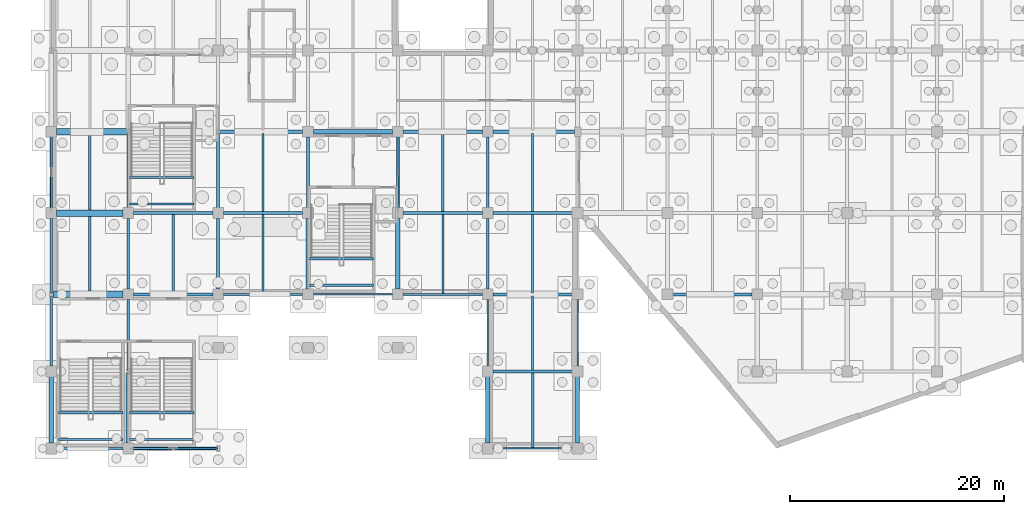
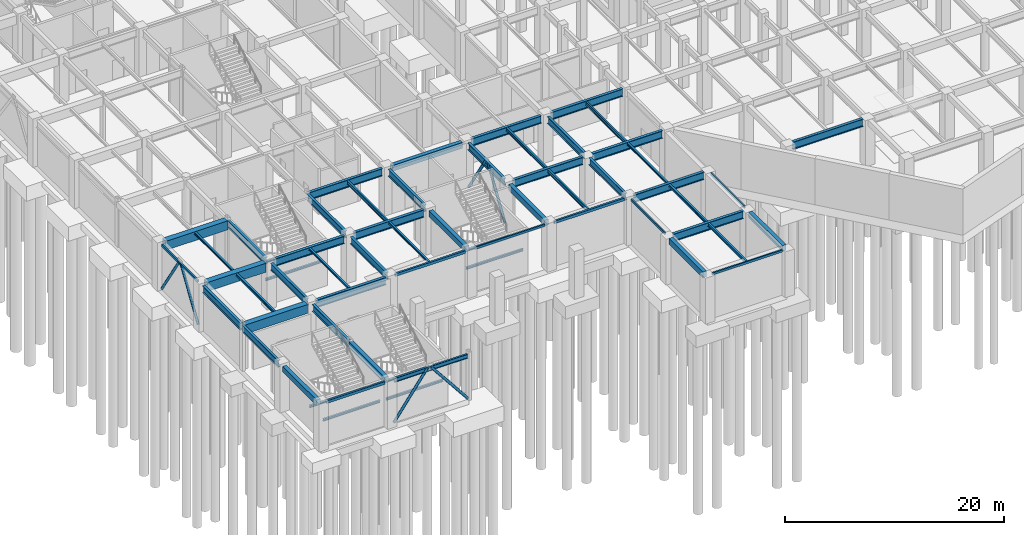
# One storey, part 22 of 52: 60 beams, 6 members.
"""IFC4 building model written with IfcOpenShell, lengths in metres."""

from ifc_helpers import new_model, si_unit, direction, frame, origin, origin_2d, place, context, subcontext, project, spatial, rectangle, hollow_rectangle, hollow_circle, i_section, extrude, material, material_profile, profile_set, type_object, element, save


model = new_model("IFC4")

# Units and contexts
model_context = context("Model", 3, precision=1e-05, world=origin(), true_north=direction((0.0, 1.0)))
body_context = subcontext(model_context, "Body", "Model", "MODEL_VIEW")
ifc_project = project(units=[si_unit("LENGTHUNIT", "METRE"), si_unit("AREAUNIT", "SQUARE_METRE"), si_unit("VOLUMEUNIT", "CUBIC_METRE"), si_unit("PLANEANGLEUNIT", "RADIAN"), si_unit("MASSUNIT", "GRAM", prefix="KILO")], contexts=[model_context])

# Site, building, storey
site_placement = place(None, origin())
site = spatial("IfcSite", under=ifc_project, at=site_placement, CompositionType="ELEMENT")
building_placement = place(site_placement, origin())
building = spatial("IfcBuilding", under=site, at=building_placement, Name="Xicomal Pleat Aquarium", CompositionType="ELEMENT")
storey_placement = place(building_placement, frame((0.0, 0.0, -5.39990234375)))
storey = spatial("IfcBuildingStorey", under=building, at=storey_placement, Name="B1", CompositionType="ELEMENT", Elevation=-5.39990234375)

# Beams
ifc_material_1 = material(Name="Concrete C40/50", Category="concrete")
ifc_material_profile_1 = material_profile(ifc_material_1, rectangle(XDim=0.39990234375, YDim=0.64990234375, at=origin_2d()), Name="RC 400x650")
ifc_profile_set_1 = profile_set([ifc_material_profile_1], Name="Concrete C40/50")
beam_type_1 = type_object("IfcBeamType", Name="BM-RC-400x650", PredefinedType="LINTEL", material=ifc_profile_set_1)
beam_1_placement = place(storey_placement, frame((27.4951171875, 30.39990234375, 4.794921875), z_axis=(1.0, 0.0, 0.0), x_axis=(0.0, 1.0, 0.0)))
element("IfcBeam", 1, at=beam_1_placement, inside=storey, type_object=beam_type_1, Name="B1 framing beam FGX-B1-04-05-E", PredefinedType="LINTEL", context=body_context, shape_type="SweptSolid", body=[
    extrude(rectangle(XDim=0.39990234375, YDim=0.64990234375, at=origin_2d()), origin(), (0.0, 0.0, 1.0), 7.409912109375),
])
beam_2_placement = place(storey_placement, frame((3.0, 1.294921875, 4.794921875), z_axis=(0.0, 1.0, 0.0), x_axis=(-1.0, 0.0, 0.0)))
element("IfcBeam", 2, at=beam_2_placement, inside=storey, type_object=beam_type_1, Name="B1 framing beam FGY-B1-01-A-B", PredefinedType="LINTEL", context=body_context, shape_type="SweptSolid", body=[
    extrude(rectangle(XDim=0.39990234375, YDim=0.64990234375, at=origin_2d()), origin(), (0.0, 0.0, 1.0), 6.2099609375),
])
beam_3_placement = place(storey_placement, frame((10.199951171875, 1.294921875, 4.794921875), z_axis=(0.0, 1.0, 0.0), x_axis=(-1.0, 0.0, 0.0)))
element("IfcBeam", 3, at=beam_3_placement, inside=storey, type_object=beam_type_1, Name="B1 framing beam FGY-B1-02-A-B", PredefinedType="LINTEL", context=body_context, shape_type="SweptSolid", body=[
    extrude(rectangle(XDim=0.39990234375, YDim=0.64990234375, at=origin_2d()), origin(), (0.0, 0.0, 1.0), 6.56005859375),
])
for number, where, z_axis, x_axis, name in (
    (4, (27.0, 15.695068359375, 4.794921875), (0.0, 1.0, 0.0), (-1.0, 0.0, 0.0), "B1 framing beam FGY-B1-04-C-D"),
    (5, (35.39990234375, 15.695068359375, 4.794921875), (0.0, 1.0, 0.0), (-1.0, 0.0, 0.0), "B1 framing beam FGY-B1-05-C-D"),
):
    element("IfcBeam", number, at=place(storey_placement, frame(where, z_axis=z_axis, x_axis=x_axis)), inside=storey, type_object=beam_type_1, Name=name, PredefinedType="LINTEL", context=body_context, shape_type="SweptSolid", body=[
        extrude(rectangle(XDim=0.39990234375, YDim=0.64990234375, at=origin_2d()), origin(), (0.0, 0.0, 1.0), 6.60986328125),
    ])
for number, where, z_axis, x_axis, name in (
    (6, (43.800048828125, 1.294921875, 4.794921875), (0.0, 1.0, 0.0), (-1.0, 0.0, 0.0), "B1 framing beam FGY-B1-06-A-B"),
    (7, (52.199951171875, 1.294921875, 4.794921875), (0.0, 1.0, 0.0), (-1.0, 0.0, 0.0), "B1 framing beam FGY-B1-07-A-B"),
):
    element("IfcBeam", number, at=place(storey_placement, frame(where, z_axis=z_axis, x_axis=x_axis)), inside=storey, type_object=beam_type_1, Name=name, PredefinedType="LINTEL", context=body_context, shape_type="SweptSolid", body=[
        extrude(rectangle(XDim=0.39990234375, YDim=0.64990234375, at=origin_2d()), origin(), (0.0, 0.0, 1.0), 6.2099609375),
    ])
ifc_material_2 = material(Name="Concrete C40/50", Category="concrete")
ifc_material_profile_2 = material_profile(ifc_material_2, rectangle(XDim=0.60009765625, YDim=1.0, at=origin_2d()), Name="RC 600x1000")
ifc_profile_set_2 = profile_set([ifc_material_profile_2], Name="Concrete C40/50")
beam_type_2 = type_object("IfcBeamType", Name="BM-RC-600x1000", PredefinedType="T_BEAM", material=ifc_profile_set_2)
beam_4_placement = place(storey_placement, frame((3.14501953125, 15.199951171875, 4.619873046875), z_axis=(1.0, 0.0, 0.0), x_axis=(0.0, 1.0, 0.0)))
element("IfcBeam", 8, at=beam_4_placement, inside=storey, type_object=beam_type_2, Name="B1 framing beam FGX-B1-01-02-C", PredefinedType="T_BEAM", context=body_context, shape_type="SweptSolid", body=[
    extrude(rectangle(XDim=0.60009765625, YDim=1.0, at=origin_2d()), origin(), (0.0, 0.0, 1.0), 6.56005859375),
])
beam_5_placement = place(storey_placement, frame((3.4951171875, 22.800048828125, 4.619873046875), z_axis=(1.0, 0.0, 0.0), x_axis=(0.0, 1.0, 0.0)))
element("IfcBeam", 9, at=beam_5_placement, inside=storey, type_object=beam_type_2, Name="B1 framing beam FGX-B1-01-02-D", PredefinedType="T_BEAM", context=body_context, shape_type="SweptSolid", body=[
    extrude(rectangle(XDim=0.60009765625, YDim=1.0, at=origin_2d()), origin(), (0.0, 0.0, 1.0), 6.2099609375),
])
beam_6_placement = place(storey_placement, frame((3.4951171875, 30.39990234375, 4.619873046875), z_axis=(1.0, 0.0, 0.0), x_axis=(0.0, 1.0, 0.0)))
element("IfcBeam", 10, at=beam_6_placement, inside=storey, type_object=beam_type_2, Name="B1 framing beam FGX-B1-01-02-E", PredefinedType="T_BEAM", context=body_context, shape_type="SweptSolid", body=[
    extrude(rectangle(XDim=0.60009765625, YDim=1.0, at=origin_2d()), origin(), (0.0, 0.0, 1.0), 6.559814453125),
])
ifc_material_3 = material(Name="Structural steel A992 Gr 50", Category="steel")
ifc_material_profile_3 = material_profile(ifc_material_3, i_section(OverallWidth=0.201904296875, OverallDepth=0.2470703125, WebThickness=0.00732421875, FlangeThickness=0.010986328125, at=origin_2d()), Name="IR 250x49")
ifc_profile_set_3 = profile_set([ifc_material_profile_3], Name="Structural steel A992 Gr 50")
beam_type_3 = type_object("IfcBeamType", Name="BM-STL-IR250", PredefinedType="JOIST", material=ifc_profile_set_3)
beam_7_placement = place(storey_placement, frame((6.60009765625, 23.10302734375, 4.996337890625), z_axis=(0.0, 1.0, 0.0), x_axis=(-1.0, 0.0, 0.0)))
element("IfcBeam", 11, at=beam_7_placement, inside=storey, type_object=beam_type_3, Name="B1 framing beam FBJ-B1-01-D-1", PredefinedType="JOIST", context=body_context, shape_type="SweptSolid", body=[
    extrude(i_section(OverallWidth=0.201904296875, OverallDepth=0.2470703125, WebThickness=0.00732421875, FlangeThickness=0.010986328125, at=origin_2d()), origin(), (0.0, 0.0, 1.0), 6.993896484375),
])
beam_8_placement = place(storey_placement, frame((14.39990234375, 15.35009765625, 4.996337890625), z_axis=(0.0, 1.0, 0.0), x_axis=(-1.0, 0.0, 0.0)))
element("IfcBeam", 12, at=beam_8_placement, inside=storey, type_object=beam_type_3, Name="B1 framing beam FBJ-B1-02-C-1", PredefinedType="JOIST", context=body_context, shape_type="SweptSolid", body=[
    extrude(i_section(OverallWidth=0.201904296875, OverallDepth=0.2470703125, WebThickness=0.00732421875, FlangeThickness=0.010986328125, at=origin_2d()), origin(), (0.0, 0.0, 1.0), 7.2998046875),
])
beam_9_placement = place(storey_placement, frame((22.800048828125, 15.302978515625, 4.996337890625), z_axis=(0.0, 1.0, 0.0), x_axis=(-1.0, 0.0, 0.0)))
element("IfcBeam", 13, at=beam_9_placement, inside=storey, type_object=beam_type_3, Name="B1 framing beam FBJ-B1-03-C-1", PredefinedType="JOIST", context=body_context, shape_type="SweptSolid", body=[
    extrude(i_section(OverallWidth=0.201904296875, OverallDepth=0.2470703125, WebThickness=0.00732421875, FlangeThickness=0.010986328125, at=origin_2d()), origin(), (0.0, 0.0, 1.0), 7.346923828125),
])
beam_10_placement = place(storey_placement, frame((48.0, 15.35009765625, 4.996337890625), z_axis=(0.0, 1.0, 0.0), x_axis=(-1.0, 0.0, 0.0)))
element("IfcBeam", 14, at=beam_10_placement, inside=storey, type_object=beam_type_3, Name="B1 framing beam FBJ-B1-06-C-1", PredefinedType="JOIST", context=body_context, shape_type="SweptSolid", body=[
    extrude(i_section(OverallWidth=0.201904296875, OverallDepth=0.2470703125, WebThickness=0.00732421875, FlangeThickness=0.010986328125, at=origin_2d()), origin(), (0.0, 0.0, 1.0), 7.2998046875),
])
for number, where, z_axis, x_axis, name in (
    (15, (10.320068359375, 23.64990234375, 2.37890625), (1.0, 0.0, 0.0), (0.0, 1.0, 0.0), "ST-01-B1 half-landing bearer beam 1"),
    (16, (10.320068359375, 26.1298828125, 2.37890625), (1.0, 0.0, 0.0), (0.0, 1.0, 0.0), "ST-01-B1 half-landing bearer beam 2"),
):
    element("IfcBeam", number, at=place(storey_placement, frame(where, z_axis=z_axis, x_axis=x_axis)), inside=storey, type_object=beam_type_3, Name=name, PredefinedType="JOIST", context=body_context, shape_type="SweptSolid", body=[
        extrude(i_section(OverallWidth=0.201904296875, OverallDepth=0.2470703125, WebThickness=0.00732421875, FlangeThickness=0.010986328125, at=origin_2d()), origin(), (0.0, 0.0, 1.0), 6.02001953125),
    ])
for number, where, z_axis, x_axis, name in (
    (17, (27.1201171875, 16.050048828125, 2.37890625), (1.0, 0.0, 0.0), (0.0, 1.0, 0.0), "ST-02-B1 half-landing bearer beam 1"),
    (18, (27.1201171875, 18.530029296875, 2.37890625), (1.0, 0.0, 0.0), (0.0, 1.0, 0.0), "ST-02-B1 half-landing bearer beam 2"),
):
    element("IfcBeam", number, at=place(storey_placement, frame(where, z_axis=z_axis, x_axis=x_axis)), inside=storey, type_object=beam_type_3, Name=name, PredefinedType="JOIST", context=body_context, shape_type="SweptSolid", body=[
        extrude(i_section(OverallWidth=0.201904296875, OverallDepth=0.2470703125, WebThickness=0.00732421875, FlangeThickness=0.010986328125, at=origin_2d()), origin(), (0.0, 0.0, 1.0), 6.019775390625),
    ])
for number, where, z_axis, x_axis, name in (
    (19, (10.320068359375, 1.64990234375, 2.37890625), (1.0, 0.0, 0.0), (0.0, 1.0, 0.0), "ST-09-B1 half-landing bearer beam 1"),
    (20, (10.320068359375, 4.1298828125, 2.37890625), (1.0, 0.0, 0.0), (0.0, 1.0, 0.0), "ST-09-B1 half-landing bearer beam 2"),
    (21, (3.679931640625, 1.64990234375, 2.37890625), (1.0, 0.0, 0.0), (0.0, 1.0, 0.0), "ST-10-B1 half-landing bearer beam 1"),
    (22, (3.679931640625, 4.1298828125, 2.37890625), (1.0, 0.0, 0.0), (0.0, 1.0, 0.0), "ST-10-B1 half-landing bearer beam 2"),
):
    element("IfcBeam", number, at=place(storey_placement, frame(where, z_axis=z_axis, x_axis=x_axis)), inside=storey, type_object=beam_type_3, Name=name, PredefinedType="JOIST", context=body_context, shape_type="SweptSolid", body=[
        extrude(i_section(OverallWidth=0.201904296875, OverallDepth=0.2470703125, WebThickness=0.00732421875, FlangeThickness=0.010986328125, at=origin_2d()), origin(), (0.0, 0.0, 1.0), 6.02001953125),
    ])
ifc_material_4 = material(Name="Structural steel A992 Gr 50", Category="steel")
ifc_material_profile_4 = material_profile(ifc_material_4, i_section(OverallWidth=0.202880859375, OverallDepth=0.302978515625, WebThickness=0.007568359375, FlangeThickness=0.01318359375, at=origin_2d()), Name="IR 310x60")
ifc_profile_set_4 = profile_set([ifc_material_profile_4], Name="Structural steel A992 Gr 50")
beam_type_4 = type_object("IfcBeamType", Name="BM-STL-IR310", PredefinedType="JOIST", material=ifc_profile_set_4)
beam_11_placement = place(storey_placement, frame((6.60009765625, 15.5029296875, 4.968505859375), z_axis=(0.0, 1.0, 0.0), x_axis=(-1.0, 0.0, 0.0)))
element("IfcBeam", 23, at=beam_11_placement, inside=storey, type_object=beam_type_4, Name="B1 framing beam FBJ-B1-01-C-1", PredefinedType="JOIST", context=body_context, shape_type="SweptSolid", body=[
    extrude(i_section(OverallWidth=0.202880859375, OverallDepth=0.302978515625, WebThickness=0.007568359375, FlangeThickness=0.01318359375, at=origin_2d()), origin(), (0.0, 0.0, 1.0), 6.994140625),
])
beam_12_placement = place(storey_placement, frame((48.0, 8.14990234375, 4.968505859375), z_axis=(0.0, 1.0, 0.0), x_axis=(-1.0, 0.0, 0.0)))
element("IfcBeam", 24, at=beam_12_placement, inside=storey, type_object=beam_type_4, Name="B1 framing beam FBJ-B1-06-B-1", PredefinedType="JOIST", context=body_context, shape_type="SweptSolid", body=[
    extrude(i_section(OverallWidth=0.202880859375, OverallDepth=0.302978515625, WebThickness=0.007568359375, FlangeThickness=0.01318359375, at=origin_2d()), origin(), (0.0, 0.0, 1.0), 6.900146484375),
])
ifc_material_5 = material(Name="Structural steel A992 Gr 50", Category="steel")
ifc_material_profile_5 = material_profile(ifc_material_5, i_section(OverallWidth=0.205078125, OverallDepth=0.35400390625, WebThickness=0.009521484375, FlangeThickness=0.016845703125, at=origin_2d()), Name="IR 360x79")
ifc_profile_set_5 = profile_set([ifc_material_profile_5], Name="Structural steel A992 Gr 50")
beam_type_5 = type_object("IfcBeamType", Name="BM-STL-IR360", PredefinedType="JOIST", material=ifc_profile_set_5)
beam_13_placement = place(storey_placement, frame((39.60009765625, 22.949951171875, 4.94287109375), z_axis=(0.0, 1.0, 0.0), x_axis=(-1.0, 0.0, 0.0)))
element("IfcBeam", 25, at=beam_13_placement, inside=storey, type_object=beam_type_5, Name="B1 framing beam FBJ-B1-05-D-1", PredefinedType="JOIST", context=body_context, shape_type="SweptSolid", body=[
    extrude(i_section(OverallWidth=0.205078125, OverallDepth=0.35400390625, WebThickness=0.009521484375, FlangeThickness=0.016845703125, at=origin_2d()), origin(), (0.0, 0.0, 1.0), 7.300048828125),
])
beam_14_placement = place(storey_placement, frame((48.0, 0.8779296875, 4.94287109375), z_axis=(0.0, 1.0, 0.0), x_axis=(-1.0, 0.0, 0.0)))
element("IfcBeam", 26, at=beam_14_placement, inside=storey, type_object=beam_type_5, Name="B1 framing beam FBJ-B1-06-A-1", PredefinedType="JOIST", context=body_context, shape_type="SweptSolid", body=[
    extrude(i_section(OverallWidth=0.205078125, OverallDepth=0.35400390625, WebThickness=0.009521484375, FlangeThickness=0.016845703125, at=origin_2d()), origin(), (0.0, 0.0, 1.0), 6.97216796875),
])
ifc_material_6 = material(Name="Structural steel A992 Gr 50", Category="steel")
ifc_material_profile_6 = material_profile(ifc_material_6, i_section(OverallWidth=0.180908203125, OverallDepth=0.4169921875, WebThickness=0.010986328125, FlangeThickness=0.018310546875, at=origin_2d()), Name="IR 410x85")
ifc_profile_set_6 = profile_set([ifc_material_profile_6], Name="Structural steel A992 Gr 50")
beam_type_6 = type_object("IfcBeamType", Name="BM-STL-IR410", PredefinedType="JOIST", material=ifc_profile_set_6)
beam_15_placement = place(storey_placement, frame((22.800048828125, 22.949951171875, 4.911376953125), z_axis=(0.0, 1.0, 0.0), x_axis=(-1.0, 0.0, 0.0)))
element("IfcBeam", 27, at=beam_15_placement, inside=storey, type_object=beam_type_6, Name="B1 framing beam FBJ-B1-03-D-1", PredefinedType="JOIST", context=body_context, shape_type="SweptSolid", body=[
    extrude(i_section(OverallWidth=0.180908203125, OverallDepth=0.4169921875, WebThickness=0.010986328125, FlangeThickness=0.018310546875, at=origin_2d()), origin(), (0.0, 0.0, 1.0), 7.300048828125),
])
beam_16_placement = place(storey_placement, frame((39.60009765625, 15.302978515625, 4.911376953125), z_axis=(0.0, 1.0, 0.0), x_axis=(-1.0, 0.0, 0.0)))
element("IfcBeam", 28, at=beam_16_placement, inside=storey, type_object=beam_type_6, Name="B1 framing beam FBJ-B1-05-C-1", PredefinedType="JOIST", context=body_context, shape_type="SweptSolid", body=[
    extrude(i_section(OverallWidth=0.180908203125, OverallDepth=0.4169921875, WebThickness=0.010986328125, FlangeThickness=0.018310546875, at=origin_2d()), origin(), (0.0, 0.0, 1.0), 7.346923828125),
])
beam_17_placement = place(storey_placement, frame((48.0, 22.949951171875, 4.911376953125), z_axis=(0.0, 1.0, 0.0), x_axis=(-1.0, 0.0, 0.0)))
element("IfcBeam", 29, at=beam_17_placement, inside=storey, type_object=beam_type_6, Name="B1 framing beam FBJ-B1-06-D-1", PredefinedType="JOIST", context=body_context, shape_type="SweptSolid", body=[
    extrude(i_section(OverallWidth=0.180908203125, OverallDepth=0.4169921875, WebThickness=0.010986328125, FlangeThickness=0.018310546875, at=origin_2d()), origin(), (0.0, 0.0, 1.0), 7.300048828125),
])
ifc_material_7 = material(Name="Structural steel A992 Gr 50", Category="steel")
ifc_material_profile_7 = material_profile(ifc_material_7, i_section(OverallWidth=0.194091796875, OverallDepth=0.468994140625, WebThickness=0.0126953125, FlangeThickness=0.0205078125, at=origin_2d()), Name="IR 460x106")
ifc_profile_set_7 = profile_set([ifc_material_profile_7], Name="Structural steel A992 Gr 50")
beam_type_7 = type_object("IfcBeamType", Name="BM-STL-IR460", PredefinedType="BEAM", material=ifc_profile_set_7)
beam_18_placement = place(storey_placement, frame((10.695068359375, 0.800048828125, 4.885498046875), z_axis=(1.0, 0.0, 0.0), x_axis=(0.0, 1.0, 0.0)))
element("IfcBeam", 30, at=beam_18_placement, inside=storey, type_object=beam_type_7, Name="B1 framing beam FGX-B1-02-03-A", PredefinedType="BEAM", context=body_context, shape_type="SweptSolid", body=[
    extrude(i_section(OverallWidth=0.194091796875, OverallDepth=0.468994140625, WebThickness=0.0126953125, FlangeThickness=0.0205078125, at=origin_2d()), origin(), (0.0, 0.0, 1.0), 7.760009765625),
])
ifc_material_8 = material(Name="Structural steel A992 Gr 50", Category="steel")
ifc_material_profile_8 = material_profile(ifc_material_8, i_section(OverallWidth=0.26806640625, OverallDepth=0.77001953125, WebThickness=0.015625, FlangeThickness=0.025390625, at=origin_2d()), Name="IR 760x196")
ifc_profile_set_8 = profile_set([ifc_material_profile_8], Name="Structural steel A992 Gr 50")
beam_type_8 = type_object("IfcBeamType", Name="BM-STL-IR760", PredefinedType="BEAM", material=ifc_profile_set_8)
beam_19_placement = place(storey_placement, frame((3.0, 8.4951171875, 4.73486328125), z_axis=(0.0, 1.0, 0.0), x_axis=(-1.0, 0.0, 0.0)))
element("IfcBeam", 31, at=beam_19_placement, inside=storey, type_object=beam_type_8, Name="B1 framing beam FGY-B1-01-B-C", PredefinedType="BEAM", context=body_context, shape_type="SweptSolid", body=[
    extrude(i_section(OverallWidth=0.26806640625, OverallDepth=0.77001953125, WebThickness=0.015625, FlangeThickness=0.025390625, at=origin_2d()), origin(), (0.0, 0.0, 1.0), 6.559814453125),
])
beam_20_placement = place(storey_placement, frame((3.0, 15.344970703125, 4.73486328125), z_axis=(0.0, 1.0, 0.0), x_axis=(-1.0, 0.0, 0.0)))
element("IfcBeam", 32, at=beam_20_placement, inside=storey, type_object=beam_type_8, Name="B1 framing beam FGY-B1-01-C-D", PredefinedType="BEAM", context=body_context, shape_type="SweptSolid", body=[
    extrude(i_section(OverallWidth=0.26806640625, OverallDepth=0.77001953125, WebThickness=0.015625, FlangeThickness=0.025390625, at=origin_2d()), origin(), (0.0, 0.0, 1.0), 6.9599609375),
])
beam_21_placement = place(storey_placement, frame((10.199951171875, 8.14501953125, 4.73486328125), z_axis=(0.0, 1.0, 0.0), x_axis=(-1.0, 0.0, 0.0)))
element("IfcBeam", 33, at=beam_21_placement, inside=storey, type_object=beam_type_8, Name="B1 framing beam FGY-B1-02-B-C", PredefinedType="BEAM", context=body_context, shape_type="SweptSolid", body=[
    extrude(i_section(OverallWidth=0.26806640625, OverallDepth=0.77001953125, WebThickness=0.015625, FlangeThickness=0.025390625, at=origin_2d()), origin(), (0.0, 0.0, 1.0), 6.56005859375),
])
beam_22_placement = place(storey_placement, frame((10.199951171875, 15.695068359375, 4.73486328125), z_axis=(0.0, 1.0, 0.0), x_axis=(-1.0, 0.0, 0.0)))
element("IfcBeam", 34, at=beam_22_placement, inside=storey, type_object=beam_type_8, Name="B1 framing beam FGY-B1-02-C-D", PredefinedType="BEAM", context=body_context, shape_type="SweptSolid", body=[
    extrude(i_section(OverallWidth=0.26806640625, OverallDepth=0.77001953125, WebThickness=0.015625, FlangeThickness=0.025390625, at=origin_2d()), origin(), (0.0, 0.0, 1.0), 6.60986328125),
])
beam_23_placement = place(storey_placement, frame((10.199951171875, 23.294921875, 4.73486328125), z_axis=(0.0, 1.0, 0.0), x_axis=(-1.0, 0.0, 0.0)))
element("IfcBeam", 35, at=beam_23_placement, inside=storey, type_object=beam_type_8, Name="B1 framing beam FGY-B1-02-D-E", PredefinedType="BEAM", context=body_context, shape_type="SweptSolid", body=[
    extrude(i_section(OverallWidth=0.26806640625, OverallDepth=0.77001953125, WebThickness=0.015625, FlangeThickness=0.025390625, at=origin_2d()), origin(), (0.0, 0.0, 1.0), 6.9599609375),
])
beam_24_placement = place(storey_placement, frame((18.60009765625, 15.695068359375, 4.73486328125), z_axis=(0.0, 1.0, 0.0), x_axis=(-1.0, 0.0, 0.0)))
element("IfcBeam", 36, at=beam_24_placement, inside=storey, type_object=beam_type_8, Name="B1 framing beam FGY-B1-03-C-D", PredefinedType="BEAM", context=body_context, shape_type="SweptSolid", body=[
    extrude(i_section(OverallWidth=0.26806640625, OverallDepth=0.77001953125, WebThickness=0.015625, FlangeThickness=0.025390625, at=origin_2d()), origin(), (0.0, 0.0, 1.0), 6.60986328125),
])
beam_25_placement = place(storey_placement, frame((18.60009765625, 23.294921875, 4.73486328125), z_axis=(0.0, 1.0, 0.0), x_axis=(-1.0, 0.0, 0.0)))
element("IfcBeam", 37, at=beam_25_placement, inside=storey, type_object=beam_type_8, Name="B1 framing beam FGY-B1-03-D-E", PredefinedType="BEAM", context=body_context, shape_type="SweptSolid", body=[
    extrude(i_section(OverallWidth=0.26806640625, OverallDepth=0.77001953125, WebThickness=0.015625, FlangeThickness=0.025390625, at=origin_2d()), origin(), (0.0, 0.0, 1.0), 6.9599609375),
])
for number, where, z_axis, x_axis, name in (
    (38, (27.0, 23.294921875, 4.73486328125), (0.0, 1.0, 0.0), (-1.0, 0.0, 0.0), "B1 framing beam FGY-B1-04-D-E"),
    (39, (35.39990234375, 23.294921875, 4.73486328125), (0.0, 1.0, 0.0), (-1.0, 0.0, 0.0), "B1 framing beam FGY-B1-05-D-E"),
):
    element("IfcBeam", number, at=place(storey_placement, frame(where, z_axis=z_axis, x_axis=x_axis)), inside=storey, type_object=beam_type_8, Name=name, PredefinedType="BEAM", context=body_context, shape_type="SweptSolid", body=[
        extrude(i_section(OverallWidth=0.26806640625, OverallDepth=0.77001953125, WebThickness=0.015625, FlangeThickness=0.025390625, at=origin_2d()), origin(), (0.0, 0.0, 1.0), 6.610107421875),
    ])
beam_26_placement = place(storey_placement, frame((43.800048828125, 15.695068359375, 4.73486328125), z_axis=(0.0, 1.0, 0.0), x_axis=(-1.0, 0.0, 0.0)))
element("IfcBeam", 40, at=beam_26_placement, inside=storey, type_object=beam_type_8, Name="B1 framing beam FGY-B1-06-C-D", PredefinedType="BEAM", context=body_context, shape_type="SweptSolid", body=[
    extrude(i_section(OverallWidth=0.26806640625, OverallDepth=0.77001953125, WebThickness=0.015625, FlangeThickness=0.025390625, at=origin_2d()), origin(), (0.0, 0.0, 1.0), 6.60986328125),
])
beam_27_placement = place(storey_placement, frame((43.800048828125, 23.294921875, 4.73486328125), z_axis=(0.0, 1.0, 0.0), x_axis=(-1.0, 0.0, 0.0)))
element("IfcBeam", 41, at=beam_27_placement, inside=storey, type_object=beam_type_8, Name="B1 framing beam FGY-B1-06-D-E", PredefinedType="BEAM", context=body_context, shape_type="SweptSolid", body=[
    extrude(i_section(OverallWidth=0.26806640625, OverallDepth=0.77001953125, WebThickness=0.015625, FlangeThickness=0.025390625, at=origin_2d()), origin(), (0.0, 0.0, 1.0), 6.610107421875),
])
ifc_material_9 = material(Name="Structural steel A992 Gr 50", Category="steel")
ifc_material_profile_9 = material_profile(ifc_material_9, i_section(OverallWidth=0.2939453125, OverallDepth=0.85107421875, WebThickness=0.01611328125, FlangeThickness=0.02685546875, at=origin_2d()), Name="IR 840x226")
ifc_profile_set_9 = profile_set([ifc_material_profile_9], Name="Structural steel A992 Gr 50")
beam_type_9 = type_object("IfcBeamType", Name="BM-STL-IR840", PredefinedType="BEAM", material=ifc_profile_set_9)
beam_28_placement = place(storey_placement, frame((44.294921875, 8.0, 4.6943359375), z_axis=(1.0, 0.0, 0.0), x_axis=(0.0, 1.0, 0.0)))
element("IfcBeam", 42, at=beam_28_placement, inside=storey, type_object=beam_type_9, Name="B1 framing beam FGX-B1-06-07-B", PredefinedType="BEAM", context=body_context, shape_type="SweptSolid", body=[
    extrude(i_section(OverallWidth=0.2939453125, OverallDepth=0.85107421875, WebThickness=0.01611328125, FlangeThickness=0.02685546875, at=origin_2d()), origin(), (0.0, 0.0, 1.0), 7.41015625),
])
beam_29_placement = place(storey_placement, frame((10.695068359375, 15.199951171875, 4.6943359375), z_axis=(1.0, 0.0, 0.0), x_axis=(0.0, 1.0, 0.0)))
element("IfcBeam", 43, at=beam_29_placement, inside=storey, type_object=beam_type_9, Name="B1 framing beam FGX-B1-02-03-C", PredefinedType="BEAM", context=body_context, shape_type="SweptSolid", body=[
    extrude(i_section(OverallWidth=0.2939453125, OverallDepth=0.85107421875, WebThickness=0.01611328125, FlangeThickness=0.02685546875, at=origin_2d()), origin(), (0.0, 0.0, 1.0), 7.409912109375),
])
beam_30_placement = place(storey_placement, frame((44.294921875, 15.199951171875, 4.6943359375), z_axis=(1.0, 0.0, 0.0), x_axis=(0.0, 1.0, 0.0)))
element("IfcBeam", 44, at=beam_30_placement, inside=storey, type_object=beam_type_9, Name="B1 framing beam FGX-B1-06-07-C", PredefinedType="BEAM", context=body_context, shape_type="SweptSolid", body=[
    extrude(i_section(OverallWidth=0.2939453125, OverallDepth=0.85107421875, WebThickness=0.01611328125, FlangeThickness=0.02685546875, at=origin_2d()), origin(), (0.0, 0.0, 1.0), 7.41015625),
])
for number, where, z_axis, x_axis, name in (
    (45, (61.094970703125, 15.199951171875, 4.734375), (1.0, 0.0, 0.0), (0.0, 1.0, 0.0), "B1 framing beam FGX-B1-08-09-C"),
    (46, (10.695068359375, 22.800048828125, 4.6943359375), (1.0, 0.0, 0.0), (0.0, 1.0, 0.0), "B1 framing beam FGX-B1-02-03-D"),
    (47, (19.094970703125, 22.800048828125, 4.6943359375), (1.0, 0.0, 0.0), (0.0, 1.0, 0.0), "B1 framing beam FGX-B1-03-04-D"),
    (48, (35.89501953125, 22.800048828125, 4.6943359375), (1.0, 0.0, 0.0), (0.0, 1.0, 0.0), "B1 framing beam FGX-B1-05-06-D"),
):
    element("IfcBeam", number, at=place(storey_placement, frame(where, z_axis=z_axis, x_axis=x_axis)), inside=storey, type_object=beam_type_9, Name=name, PredefinedType="BEAM", context=body_context, shape_type="SweptSolid", body=[
        extrude(i_section(OverallWidth=0.2939453125, OverallDepth=0.85107421875, WebThickness=0.01611328125, FlangeThickness=0.02685546875, at=origin_2d()), origin(), (0.0, 0.0, 1.0), 7.409912109375),
    ])
beam_31_placement = place(storey_placement, frame((44.294921875, 22.800048828125, 4.6943359375), z_axis=(1.0, 0.0, 0.0), x_axis=(0.0, 1.0, 0.0)))
element("IfcBeam", 49, at=beam_31_placement, inside=storey, type_object=beam_type_9, Name="B1 framing beam FGX-B1-06-07-D", PredefinedType="BEAM", context=body_context, shape_type="SweptSolid", body=[
    extrude(i_section(OverallWidth=0.2939453125, OverallDepth=0.85107421875, WebThickness=0.01611328125, FlangeThickness=0.02685546875, at=origin_2d()), origin(), (0.0, 0.0, 1.0), 7.41015625),
])
beam_32_placement = place(storey_placement, frame((18.7451171875, 30.39990234375, 4.6943359375), z_axis=(1.0, 0.0, 0.0), x_axis=(0.0, 1.0, 0.0)))
element("IfcBeam", 50, at=beam_32_placement, inside=storey, type_object=beam_type_9, Name="B1 framing beam FGX-B1-03-04-E", PredefinedType="BEAM", context=body_context, shape_type="SweptSolid", body=[
    extrude(i_section(OverallWidth=0.2939453125, OverallDepth=0.85107421875, WebThickness=0.01611328125, FlangeThickness=0.02685546875, at=origin_2d()), origin(), (0.0, 0.0, 1.0), 7.759765625),
])
beam_33_placement = place(storey_placement, frame((35.89501953125, 30.39990234375, 4.6943359375), z_axis=(1.0, 0.0, 0.0), x_axis=(0.0, 1.0, 0.0)))
element("IfcBeam", 51, at=beam_33_placement, inside=storey, type_object=beam_type_9, Name="B1 framing beam FGX-B1-05-06-E", PredefinedType="BEAM", context=body_context, shape_type="SweptSolid", body=[
    extrude(i_section(OverallWidth=0.2939453125, OverallDepth=0.85107421875, WebThickness=0.01611328125, FlangeThickness=0.02685546875, at=origin_2d()), origin(), (0.0, 0.0, 1.0), 7.409912109375),
])
beam_34_placement = place(storey_placement, frame((44.294921875, 30.39990234375, 4.6943359375), z_axis=(1.0, 0.0, 0.0), x_axis=(0.0, 1.0, 0.0)))
element("IfcBeam", 52, at=beam_34_placement, inside=storey, type_object=beam_type_9, Name="B1 framing beam FGX-B1-06-07-E", PredefinedType="BEAM", context=body_context, shape_type="SweptSolid", body=[
    extrude(i_section(OverallWidth=0.2939453125, OverallDepth=0.85107421875, WebThickness=0.01611328125, FlangeThickness=0.02685546875, at=origin_2d()), origin(), (0.0, 0.0, 1.0), 7.610107421875),
])
ifc_material_10 = material(Name="Structural steel A500 Gr C", Category="steel")
ifc_material_profile_10 = material_profile(ifc_material_10, hollow_rectangle(XDim=0.14990234375, YDim=0.25, WallThickness=0.010009765625, at=origin_2d()), Name="OR 250x150x10")
ifc_profile_set_10 = profile_set([ifc_material_profile_10], Name="Structural steel A500 Gr C")
beam_type_10 = type_object("IfcBeamType", Name="BM-STL-OR250", PredefinedType="SPANDREL", material=ifc_profile_set_10)
beam_35_placement = place(storey_placement, frame((44.294921875, 0.800048828125, 4.994873046875), z_axis=(1.0, 0.0, 0.0), x_axis=(0.0, 1.0, 0.0)))
element("IfcBeam", 53, at=beam_35_placement, inside=storey, type_object=beam_type_10, Name="B1 framing beam FGX-B1-06-07-A", PredefinedType="SPANDREL", context=body_context, shape_type="SweptSolid", body=[
    extrude(hollow_rectangle(XDim=0.14990234375, YDim=0.25, WallThickness=0.010009765625, at=origin_2d()), origin(), (0.0, 0.0, 1.0), 7.41015625),
])
beam_36_placement = place(storey_placement, frame((27.4951171875, 15.199951171875, 4.994873046875), z_axis=(1.0, 0.0, 0.0), x_axis=(0.0, 1.0, 0.0)))
element("IfcBeam", 54, at=beam_36_placement, inside=storey, type_object=beam_type_10, Name="B1 framing beam FGX-B1-04-05-C", PredefinedType="SPANDREL", context=body_context, shape_type="SweptSolid", body=[
    extrude(hollow_rectangle(XDim=0.14990234375, YDim=0.25, WallThickness=0.010009765625, at=origin_2d()), origin(), (0.0, 0.0, 1.0), 7.409912109375),
])
beam_37_placement = place(storey_placement, frame((3.0, 23.294921875, 4.994873046875), z_axis=(0.0, 1.0, 0.0), x_axis=(-1.0, 0.0, 0.0)))
element("IfcBeam", 55, at=beam_37_placement, inside=storey, type_object=beam_type_10, Name="B1 framing beam FGY-B1-01-D-E", PredefinedType="SPANDREL", context=body_context, shape_type="SweptSolid", body=[
    extrude(hollow_rectangle(XDim=0.14990234375, YDim=0.25, WallThickness=0.010009765625, at=origin_2d()), origin(), (0.0, 0.0, 1.0), 6.610107421875),
])
for number, where, z_axis, x_axis, name in (
    (56, (43.800048828125, 8.4951171875, 4.994873046875), (0.0, 1.0, 0.0), (-1.0, 0.0, 0.0), "B1 framing beam FGY-B1-06-B-C"),
    (57, (52.199951171875, 8.4951171875, 4.994873046875), (0.0, 1.0, 0.0), (-1.0, 0.0, 0.0), "B1 framing beam FGY-B1-07-B-C"),
):
    element("IfcBeam", number, at=place(storey_placement, frame(where, z_axis=z_axis, x_axis=x_axis)), inside=storey, type_object=beam_type_10, Name=name, PredefinedType="SPANDREL", context=body_context, shape_type="SweptSolid", body=[
        extrude(hollow_rectangle(XDim=0.14990234375, YDim=0.25, WallThickness=0.010009765625, at=origin_2d()), origin(), (0.0, 0.0, 1.0), 6.2099609375),
    ])
ifc_material_11 = material(Name="Structural steel A500 Gr C", Category="steel")
ifc_material_profile_11 = material_profile(ifc_material_11, hollow_rectangle(XDim=0.199951171875, YDim=0.300048828125, WallThickness=0.011962890625, at=origin_2d()), Name="OR 300x200x12")
ifc_profile_set_11 = profile_set([ifc_material_profile_11], Name="Structural steel A500 Gr C")
beam_type_11 = type_object("IfcBeamType", Name="BM-STL-OR300", PredefinedType="SPANDREL", material=ifc_profile_set_11)
beam_38_placement = place(storey_placement, frame((3.4951171875, 0.800048828125, 4.969970703125), z_axis=(1.0, 0.0, 0.0), x_axis=(0.0, 1.0, 0.0)))
element("IfcBeam", 58, at=beam_38_placement, inside=storey, type_object=beam_type_11, Name="B1 framing beam FGX-B1-01-02-A", PredefinedType="SPANDREL", context=body_context, shape_type="SweptSolid", body=[
    extrude(hollow_rectangle(XDim=0.199951171875, YDim=0.300048828125, WallThickness=0.011962890625, at=origin_2d()), origin(), (0.0, 0.0, 1.0), 6.2099609375),
])
for number, where, z_axis, x_axis, name in (
    (59, (19.094970703125, 15.199951171875, 4.969970703125), (1.0, 0.0, 0.0), (0.0, 1.0, 0.0), "B1 framing beam FGX-B1-03-04-C"),
    (60, (35.89501953125, 15.199951171875, 4.969970703125), (1.0, 0.0, 0.0), (0.0, 1.0, 0.0), "B1 framing beam FGX-B1-05-06-C"),
):
    element("IfcBeam", number, at=place(storey_placement, frame(where, z_axis=z_axis, x_axis=x_axis)), inside=storey, type_object=beam_type_11, Name=name, PredefinedType="SPANDREL", context=body_context, shape_type="SweptSolid", body=[
        extrude(hollow_rectangle(XDim=0.199951171875, YDim=0.300048828125, WallThickness=0.011962890625, at=origin_2d()), origin(), (0.0, 0.0, 1.0), 7.409912109375),
    ])

# Members
ifc_material_12 = material(Name="Structural steel A500 Gr C", Category="steel")
ifc_material_profile_12 = material_profile(ifc_material_12, hollow_circle(Radius=0.136474609375, WallThickness=0.013916015625, at=origin_2d()), Name="OC 273x14")
ifc_profile_set_12 = profile_set([ifc_material_profile_12], Name="Structural steel A500 Gr C")
member_type = type_object("IfcMemberType", Name="MEM-BR-OC273", PredefinedType="BRACE", material=ifc_profile_set_12)
for number, where, z_axis, x_axis, name in (
    (61, (3.0, 23.280029296875, 0.14990234375), (0.0, 0.543178422958, 0.839617294267), (-1.0, 0.0, 0.0), "B1 chevron brace 1A"),
    (62, (3.0, 29.919921875, 0.14990234375), (0.0, -0.543178422958, 0.839617294267), (1.0, 0.0, 0.0), "B1 chevron brace 1B"),
    (63, (35.39990234375, 23.280029296875, 0.14990234375), (0.0, 0.543178422958, 0.839617294267), (-1.0, 0.0, 0.0), "B1 chevron brace 11A"),
    (64, (35.39990234375, 29.919921875, 0.14990234375), (0.0, -0.543178422958, 0.839617294267), (1.0, 0.0, 0.0), "B1 chevron brace 11B"),
):
    element("IfcMember", number, at=place(storey_placement, frame(where, z_axis=z_axis, x_axis=x_axis)), inside=storey, type_object=member_type, Name=name, PredefinedType="BRACE", context=body_context, shape_type="SweptSolid", body=[
        extrude(hollow_circle(Radius=0.136474609375, WallThickness=0.013916015625, at=origin_2d()), origin(), (0.0, 0.0, 1.0), 5.8359375),
    ])
member_1_placement = place(storey_placement, frame((10.679931640625, 0.800048828125, 0.14990234375), z_axis=(0.588873050831, 0.0, 0.808225544019), x_axis=(0.0, 1.0, 0.0)))
element("IfcMember", 65, at=member_1_placement, inside=storey, type_object=member_type, Name="B1 chevron brace 31A", PredefinedType="BRACE", context=body_context, shape_type="SweptSolid", body=[
    extrude(hollow_circle(Radius=0.136474609375, WallThickness=0.013916015625, at=origin_2d()), origin(), (0.0, 0.0, 1.0), 6.0625),
])
member_2_placement = place(storey_placement, frame((18.469970703125, 0.800048828125, 0.14990234375), z_axis=(-0.624695047554, 0.0, 0.780868809443), x_axis=(0.0, -1.0, 0.0)))
element("IfcMember", 66, at=member_2_placement, inside=storey, type_object=member_type, Name="B1 chevron brace 31B", PredefinedType="BRACE", context=body_context, shape_type="SweptSolid", body=[
    extrude(hollow_circle(Radius=0.136474609375, WallThickness=0.013916015625, at=origin_2d()), origin(), (0.0, 0.0, 1.0), 6.27490234375),
])

save(model, "model.ifc")
